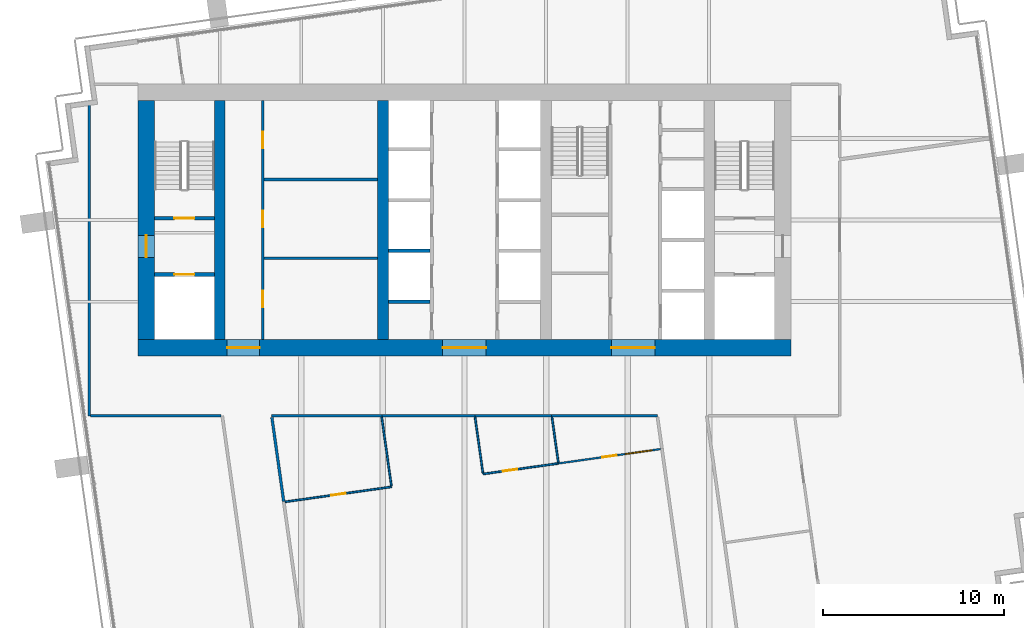
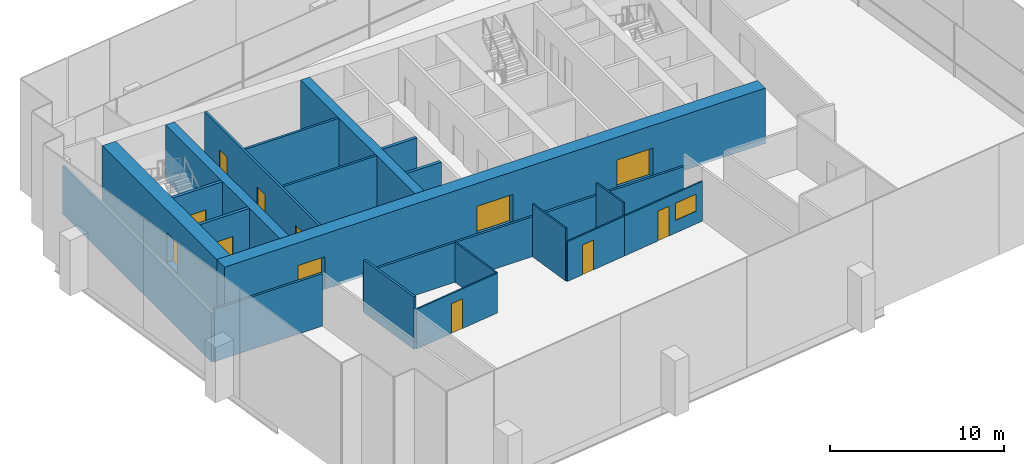
# One storey, part 9 of 17: 24 walls, 12 doors, 1 window, 13 openings.
"""IFC4 building model written with IfcOpenShell, lengths in metres."""

from ifc_helpers import new_model, si_unit, direction, frame, frame_2d, origin, place, context, subcontext, project, spatial, rectangle, extrude, material, layer, layer_set, type_object, element, fill, save


model = new_model("IFC4")

# Units and contexts
model_context = context("Model", 3, precision=1e-05, world=origin(), true_north=direction((0.0, 1.0)))
body_context = subcontext(model_context, "Body", "Model", "MODEL_VIEW")
ifc_project = project(units=[si_unit("LENGTHUNIT", "METRE"), si_unit("AREAUNIT", "SQUARE_METRE"), si_unit("VOLUMEUNIT", "CUBIC_METRE"), si_unit("PLANEANGLEUNIT", "RADIAN"), si_unit("MASSUNIT", "GRAM", prefix="KILO")], contexts=[model_context])

# Site, building, storey
site_placement = place(None, origin())
site = spatial("IfcSite", under=ifc_project, at=site_placement, CompositionType="ELEMENT")
building_placement = place(site_placement, origin())
building = spatial("IfcBuilding", under=site, at=building_placement, Name="Rattan Terrace Tower", CompositionType="ELEMENT")
storey_placement = place(building_placement, frame((0.0, 0.0, 213.5)))
storey = spatial("IfcBuildingStorey", under=building, at=storey_placement, Name="L48", CompositionType="ELEMENT", Elevation=213.5)

# Wall, openings, doors
ifc_material_1 = material(Name="Gypsum board partition")
ifc_layer_1 = layer(ifc_material_1, 0.14990234375)
ifc_layer_set_1 = layer_set([ifc_layer_1], Name="Core partition 150")
wall_type_1 = type_object("IfcWallType", Name="Core partition 150", PredefinedType="PARTITIONING", material=ifc_layer_set_1)
wall_1_placement = place(storey_placement, frame((-11.125, -6.60009765625, 0.0), z_axis=(0.0, 0.0, 1.0), x_axis=(0.0, 1.0, 0.0)))
wall_1 = element("IfcWall", 1, at=wall_1_placement, inside=storey, type_object=wall_type_1, Name="Core room wall", PredefinedType="PARTITIONING", context=body_context, shape_type="SweptSolid", body=[
    extrude(rectangle(XDim=13.2001953125, YDim=0.14990234375, at=frame_2d((6.60009765625, 0.0))), origin(), (0.0, 0.0, 1.0), 3.699951171875),
])
opening_1_placement = place(wall_1_placement, frame((1.7939453125, 0.0, 0.0)))
opening_1 = element("IfcOpeningElement", 2, at=opening_1_placement, cuts=wall_1, Name="Opening L48-D005", PredefinedType="OPENING", context=body_context, shape_type="SweptSolid", body=[
    extrude(rectangle(XDim=0.89990234375, YDim=2.10009765625, at=frame_2d((0.449951171875, 1.050048828125))), frame((0.0, 0.08544921875, 0.0), z_axis=(0.0, -1.0, 0.0), x_axis=(1.0, 0.0, 0.0)), (0.0, 0.0, 1.0), 0.1708984375),
])
opening_2_placement = place(wall_1_placement, frame((6.216064453125, 0.0, 0.0)))
opening_2 = element("IfcOpeningElement", 3, at=opening_2_placement, cuts=wall_1, Name="Opening L48-D006", PredefinedType="OPENING", context=body_context, shape_type="SweptSolid", body=[
    extrude(rectangle(XDim=0.89990234375, YDim=2.10009765625, at=frame_2d((0.449951171875, 1.050048828125))), frame((0.0, 0.08544921875, 0.0), z_axis=(0.0, -1.0, 0.0), x_axis=(1.0, 0.0, 0.0)), (0.0, 0.0, 1.0), 0.1708984375),
])
opening_3_placement = place(wall_1_placement, frame((10.572021484375, 0.0, 0.0)))
opening_3 = element("IfcOpeningElement", 4, at=opening_3_placement, cuts=wall_1, Name="Opening L48-D007", PredefinedType="OPENING", context=body_context, shape_type="SweptSolid", body=[
    extrude(rectangle(XDim=0.89990234375, YDim=2.10009765625, at=frame_2d((0.449951171875, 1.050048828125))), frame((0.0, 0.08544921875, 0.0), z_axis=(0.0, -1.0, 0.0), x_axis=(1.0, 0.0, 0.0)), (0.0, 0.0, 1.0), 0.1708984375),
])
ifc_material_2 = material(Name="Hollow-metal fire door leaf")
door_type_1 = type_object("IfcDoorType", Name="Core service room door 900", OperationType="NOTDEFINED", PredefinedType="DOOR", material=ifc_material_2)
door_1_placement = place(opening_1_placement, origin())
door_1 = element("IfcDoor", 5, at=door_1_placement, inside=storey, type_object=door_type_1, Name="Door L48-D005", OperationType="SINGLE_SWING_LEFT", OverallHeight=2.10009765625, OverallWidth=0.89990234375, PredefinedType="DOOR", context=body_context, shape_type="SweptSolid", body=[
    extrude(rectangle(XDim=0.89990234375, YDim=2.10009765625, at=frame_2d((0.449951171875, 1.050048828125))), frame((0.0, 0.02490234375, 0.0), z_axis=(0.0, -1.0, 0.0), x_axis=(1.0, 0.0, 0.0)), (0.0, 0.0, 1.0), 0.050048828125),
])
fill(opening_1, door_1)
door_2_placement = place(opening_2_placement, origin())
door_2 = element("IfcDoor", 6, at=door_2_placement, inside=storey, type_object=door_type_1, Name="Door L48-D006", OperationType="SINGLE_SWING_RIGHT", OverallHeight=2.10009765625, OverallWidth=0.89990234375, PredefinedType="DOOR", context=body_context, shape_type="SweptSolid", body=[
    extrude(rectangle(XDim=0.89990234375, YDim=2.10009765625, at=frame_2d((0.449951171875, 1.050048828125))), frame((0.0, 0.02490234375, 0.0), z_axis=(0.0, -1.0, 0.0), x_axis=(1.0, 0.0, 0.0)), (0.0, 0.0, 1.0), 0.050048828125),
])
fill(opening_2, door_2)
door_3_placement = place(opening_3_placement, origin())
door_3 = element("IfcDoor", 7, at=door_3_placement, inside=storey, type_object=door_type_1, Name="Door L48-D007", OperationType="SINGLE_SWING_LEFT", OverallHeight=2.10009765625, OverallWidth=0.89990234375, PredefinedType="DOOR", context=body_context, shape_type="SweptSolid", body=[
    extrude(rectangle(XDim=0.89990234375, YDim=2.10009765625, at=frame_2d((0.449951171875, 1.050048828125))), frame((0.0, 0.02490234375, 0.0), z_axis=(0.0, -1.0, 0.0), x_axis=(1.0, 0.0, 0.0)), (0.0, 0.0, 1.0), 0.050048828125),
])
fill(opening_3, door_3)

# Walls
for number, where, z_axis, x_axis, name in (
    (8, (-11.050048828125, -2.112060546875, 0.0), (0.0, 0.0, 1.0), (1.0, 0.0, 0.0), "Core room wall"),
    (9, (-11.050048828125, 2.243896484375, 0.0), (0.0, 0.0, 1.0), (1.0, 0.0, 0.0), "Core room wall"),
):
    element("IfcWall", number, at=place(storey_placement, frame(where, z_axis=z_axis, x_axis=x_axis)), inside=storey, type_object=wall_type_1, Name=name, PredefinedType="PARTITIONING", context=body_context, shape_type="SweptSolid", body=[
        extrude(rectangle(XDim=6.25, YDim=0.14990234375, at=frame_2d((3.125, 0.0))), origin(), (0.0, 0.0, 1.0), 3.699951171875),
    ])

# Wall, opening, door
ifc_material_3 = material(Name="Gypsum board partition")
ifc_layer_2 = layer(ifc_material_3, 0.199951171875)
ifc_layer_set_2 = layer_set([ifc_layer_2], Name="Core partition 200")
wall_type_2 = type_object("IfcWallType", Name="Core partition 200", PredefinedType="PARTITIONING", material=ifc_layer_set_2)
wall_2_placement = place(storey_placement, frame((-17.10009765625, -3.0, 0.0), z_axis=(0.0, 0.0, 1.0), x_axis=(1.0, 0.0, 0.0)))
wall_2 = element("IfcWall", 10, at=wall_2_placement, inside=storey, type_object=wall_type_2, Name="Fire-fighting lobby wall", PredefinedType="PARTITIONING", context=body_context, shape_type="SweptSolid", body=[
    extrude(rectangle(XDim=3.300048828125, YDim=0.199951171875, at=frame_2d((1.64990234375, 0.0))), origin(), (0.0, 0.0, 1.0), 3.699951171875),
])
opening_4_placement = place(wall_2_placement, frame((1.10009765625, 0.0, 0.0)))
opening_4 = element("IfcOpeningElement", 11, at=opening_4_placement, cuts=wall_2, Name="Opening L48-LD-FF1", PredefinedType="OPENING", context=body_context, shape_type="SweptSolid", body=[
    extrude(rectangle(XDim=1.10009765625, YDim=2.10009765625, at=frame_2d((0.550048828125, 1.050048828125))), frame((0.0, 0.110595703125, 0.0), z_axis=(0.0, -1.0, 0.0), x_axis=(1.0, 0.0, 0.0)), (0.0, 0.0, 1.0), 0.220947265625),
])
ifc_material_4 = material(Name="Brushed stainless landing door panel")
door_type_2 = type_object("IfcDoorType", Name="Core lift landing door 1100", OperationType="DOUBLE_DOOR_SLIDING", PredefinedType="DOOR", material=ifc_material_4)
door_4_placement = place(opening_4_placement, origin())
door_4 = element("IfcDoor", 12, at=door_4_placement, inside=storey, type_object=door_type_2, Name="Door L48-LD-FF1", OperationType="DOUBLE_DOOR_SLIDING", OverallHeight=2.10009765625, OverallWidth=1.10009765625, PredefinedType="DOOR", context=body_context, shape_type="SweptSolid", body=[
    extrude(rectangle(XDim=1.10009765625, YDim=2.10009765625, at=frame_2d((0.550048828125, 1.050048828125))), frame((0.0, 0.02490234375, 0.0), z_axis=(0.0, -1.0, 0.0), x_axis=(1.0, 0.0, 0.0)), (0.0, 0.0, 1.0), 0.050048828125),
])
fill(opening_4, door_4)

wall_3_placement = place(storey_placement, frame((-17.10009765625, 0.10009765625, 0.0), z_axis=(0.0, 0.0, 1.0), x_axis=(1.0, 0.0, 0.0)))
wall_3 = element("IfcWall", 13, at=wall_3_placement, inside=storey, type_object=wall_type_2, Name="Stair enclosure wall", PredefinedType="PARTITIONING", context=body_context, shape_type="SweptSolid", body=[
    extrude(rectangle(XDim=3.300048828125, YDim=0.199951171875, at=frame_2d((1.64990234375, 0.0))), origin(), (0.0, 0.0, 1.0), 3.699951171875),
])
opening_5_placement = place(wall_3_placement, frame((1.10009765625, 0.0, 0.0)))
opening_5 = element("IfcOpeningElement", 14, at=opening_5_placement, cuts=wall_3, Name="Opening L48-D002", PredefinedType="OPENING", context=body_context, shape_type="SweptSolid", body=[
    extrude(rectangle(XDim=1.10009765625, YDim=2.10009765625, at=frame_2d((0.550048828125, 1.050048828125))), frame((0.0, 0.110595703125, 0.0), z_axis=(0.0, -1.0, 0.0), x_axis=(1.0, 0.0, 0.0)), (0.0, 0.0, 1.0), 0.220947265625),
])
ifc_material_5 = material(Name="Hollow-metal fire door leaf")
door_type_3 = type_object("IfcDoorType", Name="Core stair door 1100", OperationType="NOTDEFINED", PredefinedType="DOOR", material=ifc_material_5)
door_5_placement = place(opening_5_placement, origin())
door_5 = element("IfcDoor", 15, at=door_5_placement, inside=storey, type_object=door_type_3, Name="Door L48-D002", OperationType="SINGLE_SWING_RIGHT", OverallHeight=2.10009765625, OverallWidth=1.10009765625, PredefinedType="DOOR", context=body_context, shape_type="SweptSolid", body=[
    extrude(rectangle(XDim=1.10009765625, YDim=2.10009765625, at=frame_2d((0.550048828125, 1.050048828125))), frame((0.0, 0.02490234375, 0.0), z_axis=(0.0, -1.0, 0.0), x_axis=(1.0, 0.0, 0.0)), (0.0, 0.0, 1.0), 0.050048828125),
])
fill(opening_5, door_5)

# Wall, openings, doors
ifc_material_6 = material(Name="Concrete C50/60", Category="concrete")
ifc_layer_3 = layer(ifc_material_6, 0.89990234375)
ifc_layer_set_3 = layer_set([ifc_layer_3], Name="Core ring wall 900 C50/60")
wall_type_3 = type_object("IfcWallType", Name="Core ring wall 900 C50/60", PredefinedType="SHEAR", material=ifc_layer_set_3)
wall_4_placement = place(storey_placement, frame((-18.0, -7.050048828125, -0.199951171875), z_axis=(0.0, 0.0, 1.0), x_axis=(1.0, 0.0, 0.0)))
wall_4 = element("IfcWall", 16, at=wall_4_placement, inside=storey, type_object=wall_type_3, Name="Rear core wall south", PredefinedType="SHEAR", context=body_context, shape_type="SweptSolid", body=[
    extrude(rectangle(XDim=36.0, YDim=0.89990234375, at=frame_2d((18.0, 0.0))), origin(), (0.0, 0.0, 1.0), 3.89990234375),
])
opening_6_placement = place(wall_4_placement, frame((4.89990234375, 0.0, 0.199951171875)))
opening_6 = element("IfcOpeningElement", 17, at=opening_6_placement, cuts=wall_4, Name="Opening L48-D008", PredefinedType="OPENING", context=body_context, shape_type="SweptSolid", body=[
    extrude(rectangle(XDim=1.800048828125, YDim=2.10009765625, at=frame_2d((0.89990234375, 1.050048828125))), frame((0.0, 0.46044921875, 0.0), z_axis=(0.0, -1.0, 0.0), x_axis=(1.0, 0.0, 0.0)), (0.0, 0.0, 1.0), 0.9208984375),
])
opening_7_placement = place(wall_4_placement, frame((16.800048828125, 0.0, 0.199951171875)))
opening_7 = element("IfcOpeningElement", 18, at=opening_7_placement, cuts=wall_4, Name="Opening L48-D011", PredefinedType="OPENING", context=body_context, shape_type="SweptSolid", body=[
    extrude(rectangle(XDim=2.39990234375, YDim=2.10009765625, at=frame_2d((1.199951171875, 1.050048828125))), frame((0.0, 0.46044921875, 0.0), z_axis=(0.0, -1.0, 0.0), x_axis=(1.0, 0.0, 0.0)), (0.0, 0.0, 1.0), 0.9208984375),
])
opening_8_placement = place(wall_4_placement, frame((26.10009765625, 0.0, 0.199951171875)))
opening_8 = element("IfcOpeningElement", 19, at=opening_8_placement, cuts=wall_4, Name="Opening L48-D015", PredefinedType="OPENING", context=body_context, shape_type="SweptSolid", body=[
    extrude(rectangle(XDim=2.39990234375, YDim=2.10009765625, at=frame_2d((1.199951171875, 1.050048828125))), frame((0.0, 0.46044921875, 0.0), z_axis=(0.0, -1.0, 0.0), x_axis=(1.0, 0.0, 0.0)), (0.0, 0.0, 1.0), 0.9208984375),
])
ifc_material_7 = material(Name="Hollow-metal fire door leaf")
door_type_4 = type_object("IfcDoorType", Name="Core lift lobby door 2400", OperationType="NOTDEFINED", PredefinedType="DOOR", material=ifc_material_7)
door_6_placement = place(opening_7_placement, origin())
door_6 = element("IfcDoor", 20, at=door_6_placement, inside=storey, type_object=door_type_4, Name="Door L48-D011", OperationType="DOUBLE_DOOR_DOUBLE_SWING", OverallHeight=2.10009765625, OverallWidth=2.39990234375, PredefinedType="DOOR", context=body_context, shape_type="SweptSolid", body=[
    extrude(rectangle(XDim=2.39990234375, YDim=2.10009765625, at=frame_2d((1.199951171875, 1.050048828125))), frame((0.0, 0.02490234375, 0.0), z_axis=(0.0, -1.0, 0.0), x_axis=(1.0, 0.0, 0.0)), (0.0, 0.0, 1.0), 0.050048828125),
])
fill(opening_7, door_6)
door_7_placement = place(opening_8_placement, origin())
door_7 = element("IfcDoor", 21, at=door_7_placement, inside=storey, type_object=door_type_4, Name="Door L48-D015", OperationType="DOUBLE_DOOR_DOUBLE_SWING", OverallHeight=2.10009765625, OverallWidth=2.39990234375, PredefinedType="DOOR", context=body_context, shape_type="SweptSolid", body=[
    extrude(rectangle(XDim=2.39990234375, YDim=2.10009765625, at=frame_2d((1.199951171875, 1.050048828125))), frame((0.0, 0.02490234375, 0.0), z_axis=(0.0, -1.0, 0.0), x_axis=(1.0, 0.0, 0.0)), (0.0, 0.0, 1.0), 0.050048828125),
])
fill(opening_8, door_7)
ifc_material_8 = material(Name="Hollow-metal fire door leaf")
door_type_5 = type_object("IfcDoorType", Name="Core service room door 1800", OperationType="NOTDEFINED", PredefinedType="DOOR", material=ifc_material_8)
door_8_placement = place(opening_6_placement, origin())
door_8 = element("IfcDoor", 22, at=door_8_placement, inside=storey, type_object=door_type_5, Name="Door L48-D008", OperationType="SINGLE_SWING_RIGHT", OverallHeight=2.10009765625, OverallWidth=1.800048828125, PredefinedType="DOOR", context=body_context, shape_type="SweptSolid", body=[
    extrude(rectangle(XDim=1.800048828125, YDim=2.10009765625, at=frame_2d((0.89990234375, 1.050048828125))), frame((0.0, 0.02490234375, 0.0), z_axis=(0.0, -1.0, 0.0), x_axis=(1.0, 0.0, 0.0)), (0.0, 0.0, 1.0), 0.050048828125),
])
fill(opening_6, door_8)

# Wall, opening, door
wall_5_placement = place(storey_placement, frame((-17.550048828125, -6.60009765625, -0.199951171875), z_axis=(0.0, 0.0, 1.0), x_axis=(0.0, 1.0, 0.0)))
wall_5 = element("IfcWall", 23, at=wall_5_placement, inside=storey, type_object=wall_type_3, Name="Rear core wall west", PredefinedType="SHEAR", context=body_context, shape_type="SweptSolid", body=[
    extrude(rectangle(XDim=13.2001953125, YDim=0.89990234375, at=frame_2d((6.60009765625, 0.0))), origin(), (0.0, 0.0, 1.0), 3.89990234375),
])
opening_9_placement = place(wall_5_placement, frame((4.550048828125, 0.0, 0.199951171875)))
opening_9 = element("IfcOpeningElement", 24, at=opening_9_placement, cuts=wall_5, Name="Opening L48-D001", PredefinedType="OPENING", context=body_context, shape_type="SweptSolid", body=[
    extrude(rectangle(XDim=1.199951171875, YDim=2.10009765625, at=frame_2d((0.60009765625, 1.050048828125))), frame((0.0, 0.46044921875, 0.0), z_axis=(0.0, -1.0, 0.0), x_axis=(1.0, 0.0, 0.0)), (0.0, 0.0, 1.0), 0.9208984375),
])
ifc_material_9 = material(Name="Hollow-metal fire door leaf")
door_type_6 = type_object("IfcDoorType", Name="Core fire-fighting lobby door 1200", OperationType="NOTDEFINED", PredefinedType="DOOR", material=ifc_material_9)
door_9_placement = place(opening_9_placement, origin())
door_9 = element("IfcDoor", 25, at=door_9_placement, inside=storey, type_object=door_type_6, Name="Door L48-D001", OperationType="SINGLE_SWING_LEFT", OverallHeight=2.10009765625, OverallWidth=1.199951171875, PredefinedType="DOOR", context=body_context, shape_type="SweptSolid", body=[
    extrude(rectangle(XDim=1.199951171875, YDim=2.10009765625, at=frame_2d((0.60009765625, 1.050048828125))), frame((0.0, 0.02490234375, 0.0), z_axis=(0.0, -1.0, 0.0), x_axis=(1.0, 0.0, 0.0)), (0.0, 0.0, 1.0), 0.050048828125),
])
fill(opening_9, door_9)

# Walls
ifc_material_10 = material(Name="Concrete C50/60", Category="concrete")
ifc_layer_4 = layer(ifc_material_10, 0.60009765625)
ifc_layer_set_4 = layer_set([ifc_layer_4], Name="Core spine wall 600 C50/60")
wall_type_4 = type_object("IfcWallType", Name="Core spine wall 600 C50/60", PredefinedType="SHEAR", material=ifc_layer_set_4)
for number, where, z_axis, x_axis, name in (
    (26, (-13.5, -6.60009765625, -0.199951171875), (0.0, 0.0, 1.0), (0.0, 1.0, 0.0), "Core spine wall 1"),
    (27, (-4.5, -6.60009765625, -0.199951171875), (0.0, 0.0, 1.0), (0.0, 1.0, 0.0), "Core spine wall 2"),
):
    element("IfcWall", number, at=place(storey_placement, frame(where, z_axis=z_axis, x_axis=x_axis)), inside=storey, type_object=wall_type_4, Name=name, PredefinedType="SHEAR", context=body_context, shape_type="SweptSolid", body=[
        extrude(rectangle(XDim=13.2001953125, YDim=0.60009765625, at=frame_2d((6.60009765625, 0.0))), origin(), (0.0, 0.0, 1.0), 3.89990234375),
    ])

# Wall, opening, door
ifc_material_11 = material(Name="Gypsum board partition on steel studs", Category="steel")
ifc_layer_5 = layer(ifc_material_11, 0.10009765625)
ifc_layer_set_5 = layer_set([ifc_layer_5], Name="Floors Partition 100")
wall_type_5 = type_object("IfcWallType", Name="Floors Partition 100", PredefinedType="PARTITIONING", material=ifc_layer_set_5)
wall_6_placement = place(storey_placement, frame((-9.89501953125, -15.54296875, 0.0), z_axis=(0.0, 0.0, 1.0), x_axis=(0.990265807236, 0.139189191458, 0.0)))
wall_6 = element("IfcWall", 28, at=wall_6_placement, inside=storey, type_object=wall_type_5, Name="pt-L48-025", PredefinedType="PARTITIONING", context=body_context, shape_type="SweptSolid", body=[
    extrude(rectangle(XDim=5.9267578125, YDim=0.10009765625, at=frame_2d((2.96337890625, 0.0))), origin(), (0.0, 0.0, 1.0), 2.800048828125),
])
opening_10_placement = place(wall_6_placement, frame((2.56298828125, 0.0, 0.0)))
opening_10 = element("IfcOpeningElement", 29, at=opening_10_placement, cuts=wall_6, Name="Opening L48-D107", PredefinedType="OPENING", context=body_context, shape_type="SweptSolid", body=[
    extrude(rectangle(XDim=0.800048828125, YDim=2.10009765625, at=frame_2d((0.39990234375, 1.050048828125))), frame((0.0, 0.060546875, 0.0), z_axis=(0.0, -1.0, 0.0), x_axis=(1.0, 0.0, 0.0)), (0.0, 0.0, 1.0), 0.12109375),
])
ifc_material_12 = material(Name="Solid core timber door, painted", Category="wood")
door_type_7 = type_object("IfcDoorType", Name="Floors Store Door 800x2100", OperationType="NOTDEFINED", PredefinedType="DOOR", material=ifc_material_12)
door_10_placement = place(opening_10_placement, origin())
door_10 = element("IfcDoor", 30, at=door_10_placement, inside=storey, type_object=door_type_7, Name="d-L48-107", OperationType="SINGLE_SWING_RIGHT", OverallHeight=2.10009765625, OverallWidth=0.800048828125, PredefinedType="DOOR", context=body_context, shape_type="SweptSolid", body=[
    extrude(rectangle(XDim=0.800048828125, YDim=2.10009765625, at=frame_2d((0.39990234375, 1.050048828125))), frame((0.0, 0.02490234375, 0.0), z_axis=(0.0, -1.0, 0.0), x_axis=(1.0, 0.0, 0.0)), (0.0, 0.0, 1.0), 0.050048828125),
])
fill(opening_10, door_10)

# Walls
wall_7_placement = place(storey_placement, frame((-4.032958984375, -14.66796875, 0.0), z_axis=(0.0, 0.0, 1.0), x_axis=(-0.139140777399, 0.990272610984, 0.0)))
element("IfcWall", 31, at=wall_7_placement, inside=storey, type_object=wall_type_5, Name="pt-L48-026", PredefinedType="PARTITIONING", context=body_context, shape_type="SweptSolid", body=[
    extrude(rectangle(XDim=3.83740234375, YDim=0.10009765625, at=frame_2d((1.918701171875, 0.0))), origin(), (0.0, 0.0, 1.0), 2.800048828125),
])
wall_8_placement = place(storey_placement, frame((0.58203125, -10.867919921875, 0.0), z_axis=(0.0, 0.0, 1.0), x_axis=(0.139416658497, -0.990233808418, 0.0)))
element("IfcWall", 32, at=wall_8_placement, inside=storey, type_object=wall_type_5, Name="pt-L48-027", PredefinedType="PARTITIONING", context=body_context, shape_type="SweptSolid", body=[
    extrude(rectangle(XDim=3.12060546875, YDim=0.10009765625, at=frame_2d((1.560302734375, 0.0))), origin(), (0.0, 0.0, 1.0), 3.699951171875),
])

# Wall, opening, door
wall_9_placement = place(storey_placement, frame((1.02392578125, -14.008056640625, 0.0), z_axis=(0.0, 0.0, 1.0), x_axis=(0.990290027482, 0.139016766864, 0.0)))
wall_9 = element("IfcWall", 33, at=wall_9_placement, inside=storey, type_object=wall_type_5, Name="pt-L48-028", PredefinedType="PARTITIONING", context=body_context, shape_type="SweptSolid", body=[
    extrude(rectangle(XDim=4.1796875, YDim=0.10009765625, at=frame_2d((2.08984375, 0.0))), origin(), (0.0, 0.0, 1.0), 2.800048828125),
])
opening_11_placement = place(wall_9_placement, frame((1.114013671875, 0.0, 0.0)))
opening_11 = element("IfcOpeningElement", 34, at=opening_11_placement, cuts=wall_9, Name="Opening L48-D108", PredefinedType="OPENING", context=body_context, shape_type="SweptSolid", body=[
    extrude(rectangle(XDim=0.800048828125, YDim=2.10009765625, at=frame_2d((0.39990234375, 1.050048828125))), frame((0.0, 0.060546875, 0.0), z_axis=(0.0, -1.0, 0.0), x_axis=(1.0, 0.0, 0.0)), (0.0, 0.0, 1.0), 0.12109375),
])
door_11_placement = place(opening_11_placement, origin())
door_11 = element("IfcDoor", 35, at=door_11_placement, inside=storey, type_object=door_type_7, Name="d-L48-108", OperationType="SINGLE_SWING_LEFT", OverallHeight=2.10009765625, OverallWidth=0.800048828125, PredefinedType="DOOR", context=body_context, shape_type="SweptSolid", body=[
    extrude(rectangle(XDim=0.800048828125, YDim=2.10009765625, at=frame_2d((0.39990234375, 1.050048828125))), frame((0.0, 0.02490234375, 0.0), z_axis=(0.0, -1.0, 0.0), x_axis=(1.0, 0.0, 0.0)), (0.0, 0.0, 1.0), 0.050048828125),
])
fill(opening_11, door_11)

# Wall, openings, door, window
wall_10_placement = place(storey_placement, frame((5.1630859375, -13.427001953125, 0.0), z_axis=(0.0, 0.0, 1.0), x_axis=(0.9902675357, 0.139176893695, 0.0)))
wall_10 = element("IfcWall", 36, at=wall_10_placement, inside=storey, type_object=wall_type_5, Name="pt-L48-029", PredefinedType="PARTITIONING", context=body_context, shape_type="SweptSolid", body=[
    extrude(rectangle(XDim=5.711669921875, YDim=0.10009765625, at=frame_2d((2.85595703125, 0.0))), origin(), (0.0, 0.0, 1.0), 2.800048828125),
])
opening_12_placement = place(wall_10_placement, frame((2.4560546875, 0.0, 0.0)))
opening_12 = element("IfcOpeningElement", 37, at=opening_12_placement, cuts=wall_10, Name="Opening L48-D109", PredefinedType="OPENING", context=body_context, shape_type="SweptSolid", body=[
    extrude(rectangle(XDim=0.800048828125, YDim=2.10009765625, at=frame_2d((0.39990234375, 1.050048828125))), frame((0.0, 0.060546875, 0.0), z_axis=(0.0, -1.0, 0.0), x_axis=(1.0, 0.0, 0.0)), (0.0, 0.0, 1.0), 0.12109375),
])
opening_13_placement = place(wall_10_placement, frame((3.73388671875, 0.0, 0.89990234375)))
opening_13 = element("IfcOpeningElement", 38, at=opening_13_placement, cuts=wall_10, Name="Opening L48-W100", PredefinedType="OPENING", context=body_context, shape_type="SweptSolid", body=[
    extrude(rectangle(XDim=1.5, YDim=1.199951171875, at=frame_2d((0.75, 0.60009765625))), frame((0.0, 0.060546875, 0.0), z_axis=(0.0, -1.0, 0.0), x_axis=(1.0, 0.0, 0.0)), (0.0, 0.0, 1.0), 0.12109375),
])
door_12_placement = place(opening_12_placement, origin())
door_12 = element("IfcDoor", 39, at=door_12_placement, inside=storey, type_object=door_type_7, Name="d-L48-109", OperationType="SINGLE_SWING_RIGHT", OverallHeight=2.10009765625, OverallWidth=0.800048828125, PredefinedType="DOOR", context=body_context, shape_type="SweptSolid", body=[
    extrude(rectangle(XDim=0.800048828125, YDim=2.10009765625, at=frame_2d((0.39990234375, 1.050048828125))), frame((0.0, 0.02490234375, 0.0), z_axis=(0.0, -1.0, 0.0), x_axis=(1.0, 0.0, 0.0)), (0.0, 0.0, 1.0), 0.050048828125),
])
fill(opening_12, door_12)
ifc_material_13 = material(Name="Glass, clear, fixed in aluminium frame", Category="aluminium")
window_type = type_object("IfcWindowType", Name="Interior Vision Window 1500x1200", PartitioningType="SINGLE_PANEL", PredefinedType="WINDOW", material=ifc_material_13)
window_placement = place(opening_13_placement, origin())
window = element("IfcWindow", 40, at=window_placement, inside=storey, type_object=window_type, Name="w-L48-100", OverallHeight=1.199951171875, OverallWidth=1.5, PartitioningType="SINGLE_PANEL", PredefinedType="WINDOW", context=body_context, shape_type="SweptSolid", body=[
    extrude(rectangle(XDim=1.5, YDim=1.199951171875, at=frame_2d((0.75, 0.60009765625))), frame((0.0, 0.030029296875, 0.0), z_axis=(0.0, -1.0, 0.0), x_axis=(1.0, 0.0, 0.0)), (0.0, 0.0, 1.0), 0.06005859375),
])
fill(opening_13, window)

# Walls
wall_11_placement = place(storey_placement, frame((4.823974609375, -10.867919921875, 0.0), z_axis=(0.0, 0.0, 1.0), x_axis=(0.139111451168, -0.990276731098, 0.0)))
element("IfcWall", 41, at=wall_11_placement, inside=storey, type_object=wall_type_5, Name="pt-L48-030", PredefinedType="PARTITIONING", context=body_context, shape_type="SweptSolid", body=[
    extrude(rectangle(XDim=2.53076171875, YDim=0.10009765625, at=frame_2d((1.265380859375, 0.0))), origin(), (0.0, 0.0, 1.0), 3.699951171875),
])
ifc_material_14 = material(Name="Gypsum board partition on steel studs, fire rated", Category="steel")
ifc_layer_6 = layer(ifc_material_14, 0.14990234375)
ifc_layer_set_6 = layer_set([ifc_layer_6], Name="Floors Tenancy Wall 150")
wall_type_6 = type_object("IfcWallType", Name="Floors Tenancy Wall 150", PredefinedType="PARTITIONING", material=ifc_layer_set_6)
wall_12_placement = place(storey_placement, frame((-20.699951171875, -10.800048828125, 0.0), z_axis=(0.0, 0.0, 1.0), x_axis=(0.0, 1.0, 0.0)))
element("IfcWall", 42, at=wall_12_placement, inside=storey, type_object=wall_type_6, Name="pt-L48-001", PredefinedType="PARTITIONING", context=body_context, shape_type="SweptSolid", body=[
    extrude(rectangle(XDim=17.156005859375, YDim=0.14990234375, at=frame_2d((8.578125, 0.0))), origin(), (0.0, 0.0, 1.0), 3.39990234375),
])
wall_13_placement = place(storey_placement, frame((-13.43701171875, -10.800048828125, 0.0), z_axis=(0.0, 0.0, 1.0), x_axis=(-1.0, 0.0, 0.0)))
element("IfcWall", 43, at=wall_13_placement, inside=storey, type_object=wall_type_6, Name="pt-L48-002", PredefinedType="PARTITIONING", context=body_context, shape_type="SweptSolid", body=[
    extrude(rectangle(XDim=7.18798828125, YDim=0.14990234375, at=frame_2d((3.593994140625, 0.0))), origin(), (0.0, 0.0, 1.0), 3.699951171875),
])
wall_14_placement = place(storey_placement, frame((0.593017578125, -10.800048828125, 0.0), z_axis=(0.0, 0.0, 1.0), x_axis=(-1.0, 0.0, 0.0)))
element("IfcWall", 44, at=wall_14_placement, inside=storey, type_object=wall_type_6, Name="pt-L48-013", PredefinedType="PARTITIONING", context=body_context, shape_type="SweptSolid", body=[
    extrude(rectangle(XDim=5.14990234375, YDim=0.14990234375, at=frame_2d((2.574951171875, 0.0))), origin(), (0.0, 0.0, 1.0), 2.800048828125),
])
wall_15_placement = place(storey_placement, frame((-10.625, -10.885009765625, 0.0), z_axis=(0.0, 0.0, 1.0), x_axis=(0.139112996275, -0.990276514044, 0.0)))
element("IfcWall", 45, at=wall_15_placement, inside=storey, type_object=wall_type_6, Name="pt-L48-015", PredefinedType="PARTITIONING", context=body_context, shape_type="SweptSolid", body=[
    extrude(rectangle(XDim=4.694580078125, YDim=0.14990234375, at=frame_2d((2.34716796875, 0.0))), origin(), (0.0, 0.0, 1.0), 3.699951171875),
])
wall_16_placement = place(storey_placement, frame((-4.556884765625, -10.800048828125, 0.0), z_axis=(0.0, 0.0, 1.0), x_axis=(-1.0, 0.0, 0.0)))
element("IfcWall", 46, at=wall_16_placement, inside=storey, type_object=wall_type_6, Name="pt-L48-016", PredefinedType="PARTITIONING", context=body_context, shape_type="SweptSolid", body=[
    extrude(rectangle(XDim=6.080078125, YDim=0.14990234375, at=frame_2d((3.0400390625, 0.0))), origin(), (0.0, 0.0, 1.0), 2.800048828125),
])
wall_17_placement = place(storey_placement, frame((4.7939453125, -10.800048828125, 0.0), z_axis=(0.0, 0.0, 1.0), x_axis=(-1.0, 0.0, 0.0)))
element("IfcWall", 47, at=wall_17_placement, inside=storey, type_object=wall_type_6, Name="pt-L48-017", PredefinedType="PARTITIONING", context=body_context, shape_type="SweptSolid", body=[
    extrude(rectangle(XDim=4.200927734375, YDim=0.14990234375, at=frame_2d((2.1005859375, 0.0))), origin(), (0.0, 0.0, 1.0), 2.800048828125),
])
wall_18_placement = place(storey_placement, frame((10.636962890625, -10.800048828125, 0.0), z_axis=(0.0, 0.0, 1.0), x_axis=(-1.0, 0.0, 0.0)))
element("IfcWall", 48, at=wall_18_placement, inside=storey, type_object=wall_type_6, Name="pt-L48-018", PredefinedType="PARTITIONING", context=body_context, shape_type="SweptSolid", body=[
    extrude(rectangle(XDim=5.843017578125, YDim=0.14990234375, at=frame_2d((2.92138671875, 0.0))), origin(), (0.0, 0.0, 1.0), 2.800048828125),
])
ifc_material_15 = material(Name="Gypsum shaft wall system")
ifc_layer_7 = layer(ifc_material_15, 0.199951171875)
ifc_layer_set_7 = layer_set([ifc_layer_7], Name="Lift shaft wall 200")
wall_type_7 = type_object("IfcWallType", Name="Lift shaft wall 200", PredefinedType="PARTITIONING", material=ifc_layer_set_7)
for number, where, z_axis, x_axis, name in (
    (49, (-4.199951171875, -1.699951171875, 0.0), (0.0, 0.0, 1.0), (1.0, 0.0, 0.0), "Lift shaft wall"),
    (50, (-4.199951171875, -4.5, 0.0), (0.0, 0.0, 1.0), (1.0, 0.0, 0.0), "Lift shaft wall"),
):
    element("IfcWall", number, at=place(storey_placement, frame(where, z_axis=z_axis, x_axis=x_axis)), inside=storey, type_object=wall_type_7, Name=name, PredefinedType="PARTITIONING", context=body_context, shape_type="SweptSolid", body=[
        extrude(rectangle(XDim=2.300048828125, YDim=0.199951171875, at=frame_2d((1.14990234375, 0.0))), origin(), (0.0, 0.0, 1.0), 3.699951171875),
    ])

save(model, "model.ifc")
